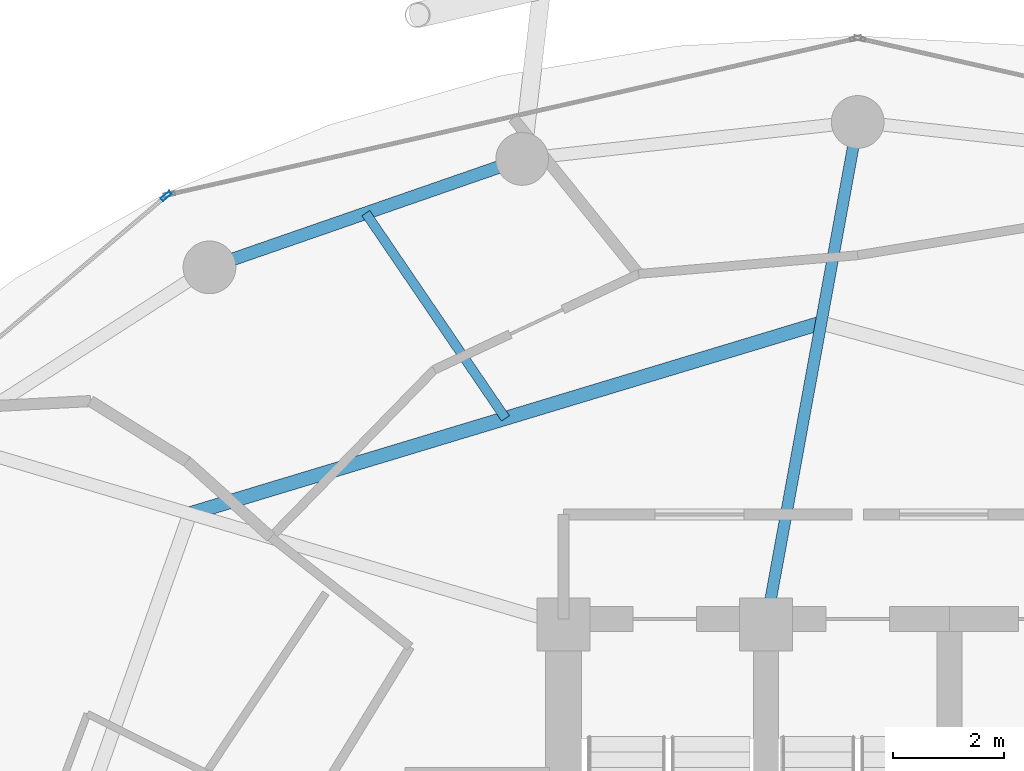
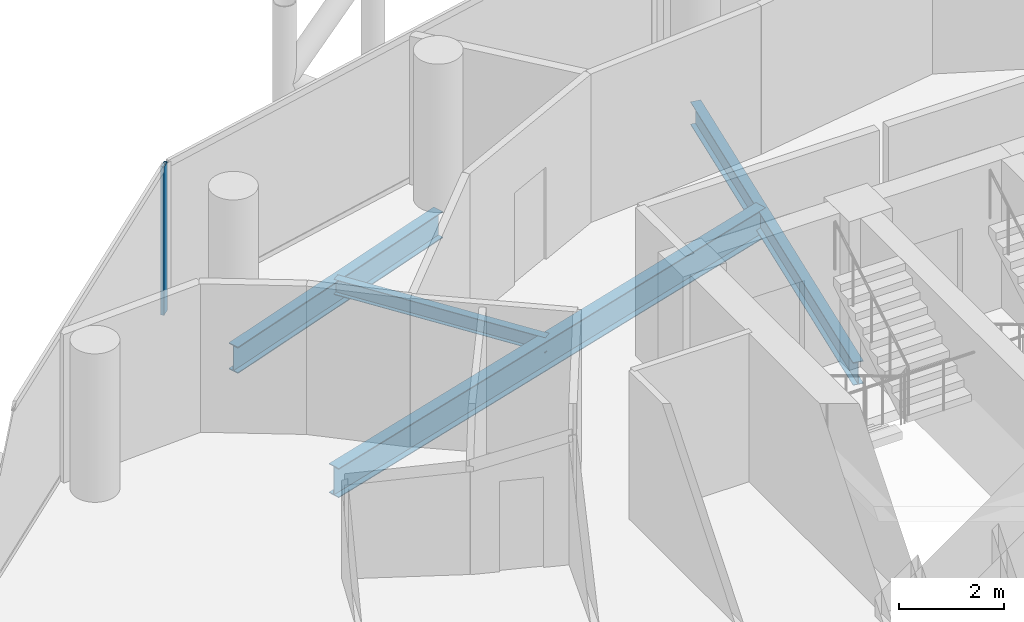
# One storey, part 15 of 26: 4 beams, 1 member, 1 element without a shape of its own.
"""IFC4 building model written with IfcOpenShell, lengths in metres."""

from ifc_helpers import new_model, si_unit, direction, frame, origin, origin_2d, place, context, subcontext, project, spatial, hollow_rectangle, i_section, extrude, material, layer, layer_set, material_profile, profile_set, type_object, element, aggregate, save


model = new_model("IFC4")

# Units and contexts
model_context = context("Model", 3, precision=1e-05, world=origin(), true_north=direction((0.0, 1.0)))
body_context = subcontext(model_context, "Body", "Model", "MODEL_VIEW")
ifc_project = project(units=[si_unit("LENGTHUNIT", "METRE"), si_unit("AREAUNIT", "SQUARE_METRE"), si_unit("VOLUMEUNIT", "CUBIC_METRE"), si_unit("PLANEANGLEUNIT", "RADIAN"), si_unit("MASSUNIT", "GRAM", prefix="KILO")], contexts=[model_context])

# Site, building, storey
site_placement = place(None, origin())
site = spatial("IfcSite", under=ifc_project, at=site_placement, CompositionType="ELEMENT")
building_placement = place(site_placement, origin())
building = spatial("IfcBuilding", under=site, at=building_placement, Name="Nuhasar Tower", CompositionType="ELEMENT")
storey_placement = place(building_placement, frame((0.0, 0.0, 184.85009765625)))
storey = spatial("IfcBuildingStorey", under=building, at=storey_placement, Name="L45", CompositionType="ELEMENT", Elevation=184.85009765625)

# Beams
ifc_material_1 = material(Name="Steel S355", Category="steel")
ifc_material_profile_1 = material_profile(ifc_material_1, i_section(OverallWidth=0.25390625, OverallDepth=0.68408203125, WebThickness=0.012451171875, FlangeThickness=0.018798828125, at=origin_2d()), Name="W27X94")
ifc_profile_set_1 = profile_set([ifc_material_profile_1], Name="Steel S355")
beam_type_1 = type_object("IfcBeamType", Name="BM-INRING-W27X94", PredefinedType="BEAM", material=ifc_profile_set_1)
beam_1_placement = place(storey_placement, frame((38.340087890625, 42.72998046875, -0.592041015625), z_axis=(-0.95722440557, -0.289346569673, 0.0), x_axis=(0.289346569673, -0.95722440557, 0.0)))
element("IfcBeam", 1, at=beam_1_placement, inside=storey, type_object=beam_type_1, Name="L45 Inner Header Beam 06", PredefinedType="BEAM", context=body_context, shape_type="SweptSolid", body=[
    extrude(i_section(OverallWidth=0.25390625, OverallDepth=0.68408203125, WebThickness=0.012451171875, FlangeThickness=0.018798828125, at=origin_2d()), origin(), (0.0, 0.0, 1.0), 11.875244140625),
])
ifc_material_profile_2 = material_profile(ifc_material_1, i_section(OverallWidth=0.1708984375, OverallDepth=0.35205078125, WebThickness=0.0068359375, FlangeThickness=0.009765625, at=origin_2d()), Name="W14X30")
ifc_profile_set_2 = profile_set([ifc_material_profile_2], Name="Steel S355")
beam_type_2 = type_object("IfcBeamType", Name="BM-JST-W14X30", PredefinedType="JOIST", material=ifc_profile_set_2)
beam_2_placement = place(storey_placement, frame((32.656982421875, 41.011962890625, -0.426025390625), z_axis=(-0.562802886474, 0.826591138941, 0.0), x_axis=(-0.826591138941, -0.562802886474, 0.0)))
element("IfcBeam", 2, at=beam_2_placement, inside=storey, type_object=beam_type_2, Name="L45 Secondary Floor Joist 06", PredefinedType="JOIST", context=body_context, shape_type="SweptSolid", body=[
    extrude(i_section(OverallWidth=0.1708984375, OverallDepth=0.35205078125, WebThickness=0.0068359375, FlangeThickness=0.009765625, at=origin_2d()), origin(), (0.0, 0.0, 1.0), 4.47021484375),
])
ifc_material_profile_3 = material_profile(ifc_material_1, i_section(OverallWidth=0.208984375, OverallDepth=0.532958984375, WebThickness=0.01025390625, FlangeThickness=0.015625, at=origin_2d()), Name="W21X62")
ifc_profile_set_3 = profile_set([ifc_material_profile_3], Name="Steel S355")
beam_type_3 = type_object("IfcBeamType", Name="BM-RAD-W21X62", PredefinedType="BEAM", material=ifc_profile_set_3)
beam_3_placement = place(storey_placement, frame((37.35009765625, 37.300048828125, -0.51708984375), z_axis=(0.179352509513, 0.983784873502, 0.0), x_axis=(-0.983784873502, 0.179352509513, 0.0)))
element("IfcBeam", 3, at=beam_3_placement, inside=storey, type_object=beam_type_3, Name="L45 Radial Floor Girder 06", PredefinedType="BEAM", context=body_context, shape_type="SweptSolid", body=[
    extrude(i_section(OverallWidth=0.208984375, OverallDepth=0.532958984375, WebThickness=0.01025390625, FlangeThickness=0.015625, at=origin_2d()), origin(), (0.0, 0.0, 1.0), 9.19921875),
])
ifc_material_profile_4 = material_profile(ifc_material_1, i_section(OverallWidth=0.22998046875, OverallDepth=0.616943359375, WebThickness=0.01318359375, FlangeThickness=0.022216796875, at=origin_2d()), Name="W24X94")
ifc_profile_set_4 = profile_set([ifc_material_profile_4], Name="Steel S355")
beam_type_4 = type_object("IfcBeamType", Name="BM-RING-W24X94", PredefinedType="SPANDREL", material=ifc_profile_set_4)
beam_4_placement = place(storey_placement, frame((32.95703125, 45.68408203125, -0.55908203125), z_axis=(-0.944801380051, -0.327643636066, 0.0), x_axis=(0.327643636066, -0.944801380051, 0.0)))
element("IfcBeam", 4, at=beam_4_placement, inside=storey, type_object=beam_type_4, Name="L45 Perimeter Ring Spandrel 08", PredefinedType="SPANDREL", context=body_context, shape_type="SweptSolid", body=[
    extrude(i_section(OverallWidth=0.22998046875, OverallDepth=0.616943359375, WebThickness=0.01318359375, FlangeThickness=0.022216796875, at=origin_2d()), origin(), (0.0, 0.0, 1.0), 5.961181640625),
])

# Curtain wall, member
ifc_material_2 = material(Name="Aluminium 6063-T6", Category="aluminium")
ifc_layer = layer(ifc_material_2, 0.199951171875)
ifc_layer_set = layer_set([ifc_layer], Name="Aluminium 6063-T6")
curtain_wall_type = type_object("IfcCurtainWallType", Name="CW-Z2-HTL", PredefinedType="NOTDEFINED", material=ifc_layer_set)
curtain_wall_placement = place(storey_placement, origin())
curtain_wall = element("IfcCurtainWall", 5, at=curtain_wall_placement, inside=storey, type_object=curtain_wall_type, Name="L45 Unitised Curtain Wall 05", PredefinedType="NOTDEFINED")
ifc_material_profile_5 = material_profile(ifc_material_2, hollow_rectangle(XDim=0.070068359375, YDim=0.199951171875, WallThickness=0.0048828125, at=origin_2d()), Name="CWM-3")
ifc_profile_set_5 = profile_set([ifc_material_profile_5], Name="Aluminium 6063-T6")
member_type = type_object("IfcMemberType", Name="CW-MUL-S3", PredefinedType="MULLION", material=ifc_profile_set_5)
member_placement = place(storey_placement, frame((26.543212890625, 45.015380859375, 0.0), z_axis=(0.0, 0.0, 1.0), x_axis=(0.646374438324, -0.763020370292, 0.0)))
member = element("IfcMember", 6, at=member_placement, type_object=member_type, Name="CW-Z2 mullion 1", PredefinedType="MULLION", context=body_context, shape_type="SweptSolid", body=[
    extrude(hollow_rectangle(XDim=0.070068359375, YDim=0.199951171875, WallThickness=0.0048828125, at=origin_2d()), origin(), (0.0, 0.0, 1.0), 3.449951171875),
])
aggregate(curtain_wall, [member])

save(model, "model.ifc")
